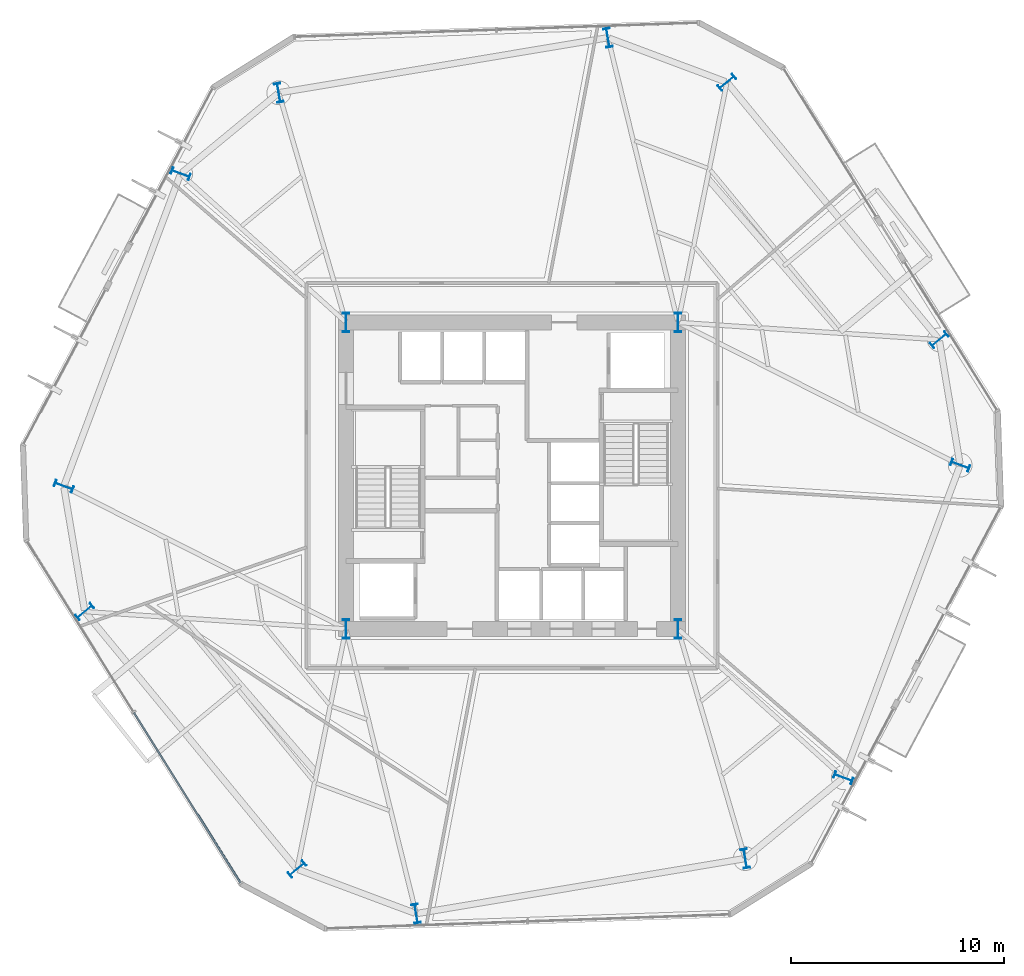
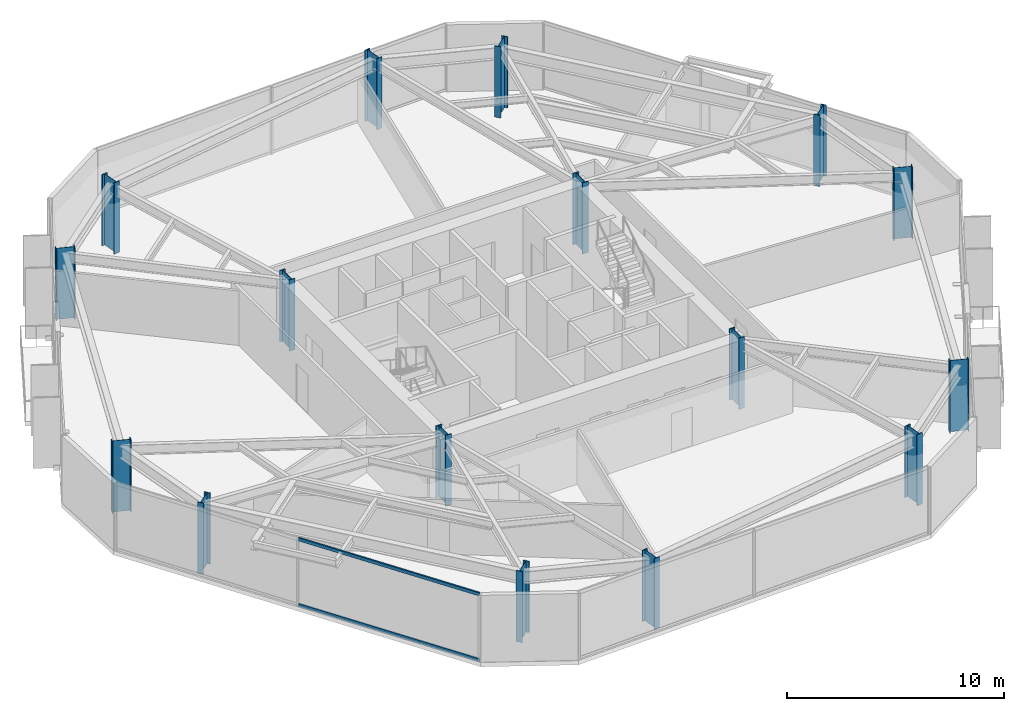
# One storey, part 1 of 10: 16 columns, 2 members, 1 element without a shape of its own.
"""IFC4 building model written with IfcOpenShell, lengths in metres."""

from ifc_helpers import new_model, si_unit, direction, frame, origin, origin_2d, place, context, subcontext, project, spatial, rectangle, i_section, extrude, material, layer, layer_set, material_profile, profile_set, type_object, element, aggregate, save


model = new_model("IFC4")

# Units and contexts
model_context = context("Model", 3, precision=1e-05, world=origin(), true_north=direction((0.0, 1.0)))
body_context = subcontext(model_context, "Body", "Model", "MODEL_VIEW")
ifc_project = project(units=[si_unit("LENGTHUNIT", "METRE"), si_unit("AREAUNIT", "SQUARE_METRE"), si_unit("VOLUMEUNIT", "CUBIC_METRE"), si_unit("PLANEANGLEUNIT", "RADIAN"), si_unit("MASSUNIT", "GRAM", prefix="KILO")], contexts=[model_context])

# Site, building, storey
site_placement = place(None, origin())
site = spatial("IfcSite", under=ifc_project, at=site_placement, CompositionType="ELEMENT")
building_placement = place(site_placement, origin())
building = spatial("IfcBuilding", under=site, at=building_placement, Name="Kranzbogen Civic Tower", CompositionType="ELEMENT")
storey_placement = place(building_placement, frame((0.0, 0.0, 28.0)))
storey = spatial("IfcBuildingStorey", under=building, at=storey_placement, Name="L06", CompositionType="ELEMENT", Elevation=28.0)

# Columns
ifc_material_1 = material(Name="Steel S460", Category="steel")
ifc_material_profile_1 = material_profile(ifc_material_1, i_section(OverallWidth=0.302001953125, OverallDepth=0.909912109375, WebThickness=0.02099609375, FlangeThickness=0.0400390625, at=origin_2d()), Name="HEM 900")
ifc_profile_set_1 = profile_set([ifc_material_profile_1], Name="Steel S460")
column_type = type_object("IfcColumnType", Name="Structural Column HEM 900", PredefinedType="COLUMN", material=ifc_profile_set_1)
for number, where, z_axis, x_axis, name in (
    (1, (17.199951171875, 17.800048828125, 0.0), (0.0, 0.0, 1.0), (1.0, 0.0, 0.0), "L06 composite core corner column 1"),
    (2, (32.800048828125, 17.800048828125, 0.0), (0.0, 0.0, 1.0), (1.0, 0.0, 0.0), "L06 composite core corner column 2"),
    (3, (32.800048828125, 32.199951171875, 0.0), (0.0, 0.0, 1.0), (1.0, 0.0, 0.0), "L06 composite core corner column 3"),
    (4, (17.199951171875, 32.199951171875, 0.0), (0.0, 0.0, 1.0), (1.0, 0.0, 0.0), "L06 composite core corner column 4"),
    (5, (45.072021484375, 31.385986328125, 0.0), (0.0, 0.0, 1.0), (-0.636078220278, 0.771624583388, 0.0), "L06 tower perimeter tube column 01"),
    (6, (35.09912109375, 43.48388671875, 0.0), (0.0, 0.0, 1.0), (-0.636078220278, 0.771624583388, 0.0), "L06 tower perimeter tube column 02"),
    (7, (29.5048828125, 45.575927734375, 0.0), (0.0, 0.0, 1.0), (0.986285601537, 0.165047605861, 0.0), "L06 tower perimeter tube column 03"),
    (8, (14.0419921875, 42.988037109375, 0.0), (0.0, 0.0, 1.0), (0.986285601537, 0.165047605861, 0.0), "L06 tower perimeter tube column 04"),
    (9, (9.43310546875, 39.18896484375, 0.0), (0.0, 0.0, 1.0), (0.350207381259, 0.936672189248, 0.0), "L06 tower perimeter tube column 05"),
    (10, (3.943115234375, 24.50390625, 0.0), (0.0, 0.0, 1.0), (0.350207381259, 0.936672189248, 0.0), "L06 tower perimeter tube column 06"),
    (11, (4.927978515625, 18.614013671875, 0.0), (0.0, 0.0, 1.0), (-0.636078220278, 0.771624583388, 0.0), "L06 tower perimeter tube column 07"),
    (12, (14.90087890625, 6.51611328125, 0.0), (0.0, 0.0, 1.0), (-0.636078220278, 0.771624583388, 0.0), "L06 tower perimeter tube column 08"),
    (13, (20.4951171875, 4.424072265625, 0.0), (0.0, 0.0, 1.0), (0.986285601537, 0.165047605861, 0.0), "L06 tower perimeter tube column 09"),
    (14, (35.9580078125, 7.011962890625, 0.0), (0.0, 0.0, 1.0), (0.986285601537, 0.165047605861, 0.0), "L06 tower perimeter tube column 10"),
    (15, (40.56689453125, 10.81103515625, 0.0), (0.0, 0.0, 1.0), (0.350207381259, 0.936672189248, 0.0), "L06 tower perimeter tube column 11"),
    (16, (46.056884765625, 25.49609375, 0.0), (0.0, 0.0, 1.0), (0.350207381259, 0.936672189248, 0.0), "L06 tower perimeter tube column 12"),
):
    element("IfcColumn", number, at=place(storey_placement, frame(where, z_axis=z_axis, x_axis=x_axis)), inside=storey, type_object=column_type, Name=name, PredefinedType="COLUMN", context=body_context, shape_type="SweptSolid", body=[
        extrude(i_section(OverallWidth=0.302001953125, OverallDepth=0.909912109375, WebThickness=0.02099609375, FlangeThickness=0.0400390625, at=origin_2d()), origin(), (0.0, 0.0, 1.0), 4.0),
    ])

# Curtain wall, members
ifc_material_2 = material(Name="Pale Anodised Aluminium", Category="aluminium")
ifc_layer = layer(ifc_material_2, 0.219970703125, Name="Pale Anodised Aluminium")
ifc_layer_set = layer_set([ifc_layer], Name="Pale Anodised Aluminium")
curtain_wall_type = type_object("IfcCurtainWallType", Name="Zone 1 Stick Curtain Wall System CW-02", PredefinedType="USERDEFINED", material=ifc_layer_set)
curtain_wall_placement = place(storey_placement, origin())
curtain_wall = element("IfcCurtainWall", 17, at=curtain_wall_placement, inside=storey, type_object=curtain_wall_type, Name="L06 curtain wall CW-L06-F4", ObjectType="STICK CURTAIN WALL", PredefinedType="USERDEFINED")
ifc_material_profile_2 = material_profile(ifc_material_2, rectangle(XDim=0.080078125, YDim=0.179931640625, at=origin_2d()), Name="ALU-T 80x180")
ifc_profile_set_2 = profile_set([ifc_material_profile_2], Name="Pale Anodised Aluminium")
member_type = type_object("IfcMemberType", Name="Curtain Wall Transom ALU-T 80x180", PredefinedType="USERDEFINED", material=ifc_profile_set_2)
member_1_placement = place(storey_placement, frame((7.240966796875, 13.86767578125, 0.030029296875), z_axis=(0.529917473785, -0.84804921495, 0.0), x_axis=(0.84804921495, 0.529917473785, 0.0)))
member_1 = element("IfcMember", 18, at=member_1_placement, type_object=member_type, Name="CW-02 transom 2.1", ObjectType="TRANSOM", PredefinedType="USERDEFINED", context=body_context, shape_type="SweptSolid", body=[
    extrude(rectangle(XDim=0.080078125, YDim=0.179931640625, at=origin_2d()), origin(), (0.0, 0.0, 1.0), 9.428466796875),
])
member_2_placement = place(storey_placement, frame((7.240966796875, 13.86767578125, 3.72998046875), z_axis=(0.529917473785, -0.84804921495, 0.0), x_axis=(0.84804921495, 0.529917473785, 0.0)))
member_2 = element("IfcMember", 19, at=member_2_placement, type_object=member_type, Name="CW-02 transom 2.2", ObjectType="TRANSOM", PredefinedType="USERDEFINED", context=body_context, shape_type="SweptSolid", body=[
    extrude(rectangle(XDim=0.080078125, YDim=0.179931640625, at=origin_2d()), origin(), (0.0, 0.0, 1.0), 9.428466796875),
])
aggregate(curtain_wall, [member_1, member_2])

save(model, "model.ifc")
